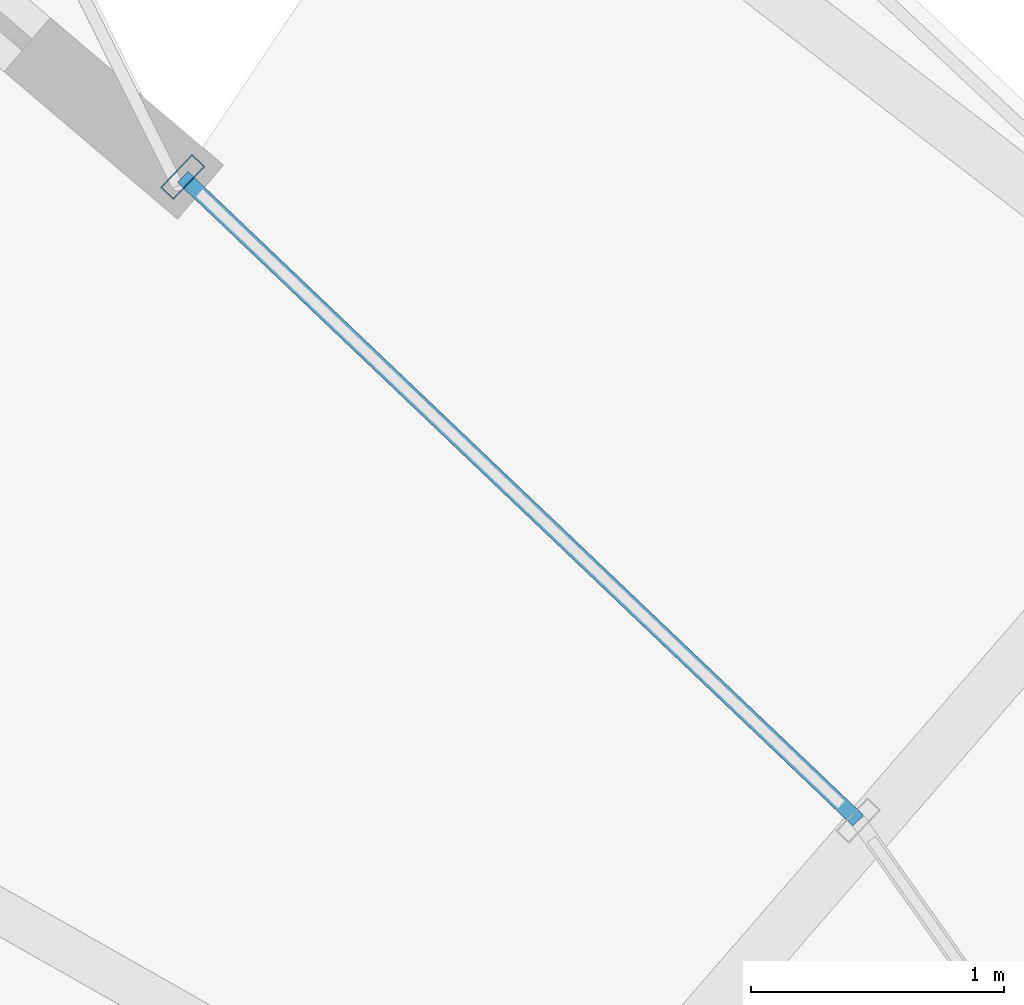
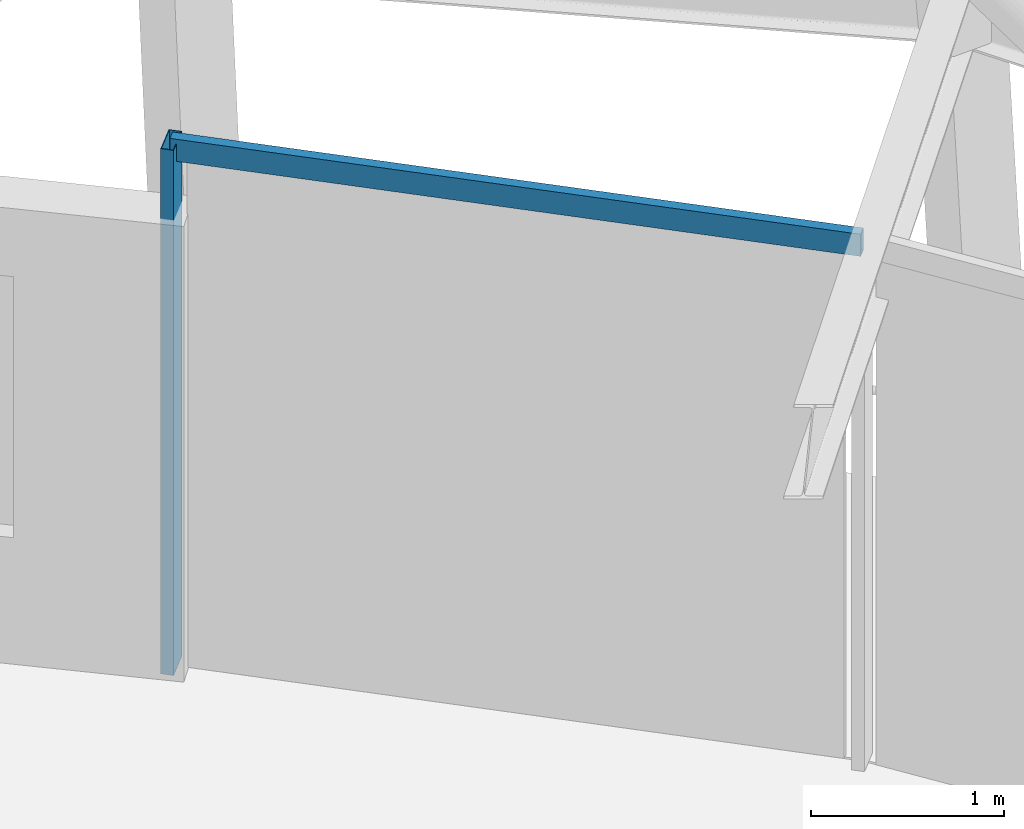
# One storey, part 8 of 17: 2 members, 1 element without a shape of its own.
"""IFC4 building model written with IfcOpenShell, lengths in metres."""

import ifcopenshell
import ifcopenshell.guid

model = None  # the IFC model being written
_history = None  # IfcOwnerHistory: only IFC2X3 demands one
_inside = {}  # id of a spatial element -> (the spatial element, [elements in it])
_under = {}  # id of a project, library or spatial element -> (it, [spatial elements below it])
_declared = {}  # id of a project -> (the project, [libraries it declares])
_typed = {}  # id of a type object -> (the type object, [elements of that type])
_made_of = {}  # id of a material, layer set ... -> (it, [elements and type objects made of it])


def new_model(schema):
    """Start an empty IFC model of exactly this schema.

    Asked for "IFC4X3", IfcOpenShell would pick the latest addendum, in which some entities
    have other attributes; the version numbers below select the first issue.
    IFC2X3 requires an IfcOwnerHistory on every rooted entity: one is made here for all.
    """
    global model, _history
    if schema == "IFC4X3":
        model = ifcopenshell.file(schema_version=(4, 3, 0, 0))
    else:
        model = ifcopenshell.file(schema=schema)
    _inside.clear()
    _under.clear()
    _declared.clear()
    _typed.clear()
    _made_of.clear()
    _history = None
    if model.schema == "IFC2X3":
        org = make("IfcOrganization", Name="unknown")
        user = make(
            "IfcPersonAndOrganization",
            ThePerson=make("IfcPerson", FamilyName="unknown"),
            TheOrganization=org,
        )
        app = make(
            "IfcApplication",
            ApplicationDeveloper=org,
            Version="unknown",
            ApplicationFullName="unknown",
            ApplicationIdentifier="unknown",
        )
        _history = make(
            "IfcOwnerHistory",
            OwningUser=user,
            OwningApplication=app,
            ChangeAction="ADDED",
            CreationDate=0,
        )
    return model


def make(cls, **values):
    """One entity of the class cls with the attributes given. An attribute that is None is left unset."""
    return model.create_entity(
        cls, **{name: value for name, value in values.items() if value is not None}
    )


def rooted(cls, **values):
    """An entity with a GlobalId (a new one), such as an element, a storey or a relation."""
    return make(cls, GlobalId=ifcopenshell.guid.new(), OwnerHistory=_history, **values)


def si_unit(unit_type, name, prefix=None):
    """IfcSIUnit, for example si_unit("LENGTHUNIT", "METRE", prefix="MILLI")."""
    return make("IfcSIUnit", UnitType=unit_type, Prefix=prefix, Name=name)


def assignment(units):
    """IfcUnitAssignment: the units of a project."""
    return None if units is None else make("IfcUnitAssignment", Units=units)


def point(xyz):
    """IfcCartesianPoint."""
    return None if xyz is None else make("IfcCartesianPoint", Coordinates=xyz)


def direction(xyz):
    """IfcDirection."""
    return None if xyz is None else make("IfcDirection", DirectionRatios=xyz)


def frame(location, z_axis=None, x_axis=None):
    """IfcAxis2Placement3D, a coordinate frame: its origin and axes. An axis left out is left unset."""
    return make(
        "IfcAxis2Placement3D",
        Location=point(location),
        Axis=direction(z_axis),
        RefDirection=direction(x_axis),
    )


def frame_2d(location, x_axis=None):
    """IfcAxis2Placement2D, a coordinate frame in the plane: its origin and x axis."""
    return make(
        "IfcAxis2Placement2D", Location=point(location), RefDirection=direction(x_axis)
    )


def origin():
    """The frame at (0, 0, 0) with its axes left unset."""
    return frame((0.0, 0.0, 0.0))


def origin_2d():
    """The frame at (0, 0) in the plane with its x axis left unset."""
    return frame_2d((0.0, 0.0))


def place(relative_to, where):
    """IfcLocalPlacement: puts the frame where relative to a parent placement (None: the world)."""
    return make(
        "IfcLocalPlacement", PlacementRelTo=relative_to, RelativePlacement=where
    )


def context(
    kind, dimensions, precision=None, world=None, true_north=None, identifier=None
):
    """IfcGeometricRepresentationContext, for example the 3D "Model" context."""
    return make(
        "IfcGeometricRepresentationContext",
        ContextIdentifier=identifier,
        ContextType=kind,
        CoordinateSpaceDimension=dimensions,
        Precision=precision,
        WorldCoordinateSystem=world,
        TrueNorth=true_north,
    )


def subcontext(parent, identifier, kind, view, scale=None):
    """IfcGeometricRepresentationSubContext, for example "Body" below "Model"."""
    return make(
        "IfcGeometricRepresentationSubContext",
        ContextIdentifier=identifier,
        ContextType=kind,
        ParentContext=parent,
        TargetScale=scale,
        TargetView=view,
    )


def project(units=None, contexts=None):
    """IfcProject with its units and contexts."""
    return rooted(
        "IfcProject",
        Name="project",
        RepresentationContexts=contexts,
        UnitsInContext=assignment(units),
    )


def spatial(cls, under=None, at=None, **own):
    """A site, building, storey or space (cls), placed at a placement, below another one or the project."""
    s = rooted(cls, ObjectPlacement=at, **own)
    if under is not None:
        _under.setdefault(under.id(), (under, []))[1].append(s)
    return s


def profile(cls, at=None, kind="AREA", **sizes):
    """A parametric profile (cls). Its sizes go by their IFC names, for example OverallWidth=200.0."""
    return make(cls, ProfileType=kind, Position=at, **sizes)


def hollow_rectangle(**sizes):
    """IfcRectangleHollowProfileDef."""
    return profile("IfcRectangleHollowProfileDef", **sizes)


def extrude(swept, where, along, depth):
    """IfcExtrudedAreaSolid: the profile swept, set in the frame where, extruded along a direction by depth."""
    return make(
        "IfcExtrudedAreaSolid",
        SweptArea=swept,
        Position=where,
        ExtrudedDirection=direction(along),
        Depth=depth,
    )


def shape(context_of_items, identifier, shape_type, items):
    """IfcShapeRepresentation: the items that make up one representation, for example the "Body"."""
    return make(
        "IfcShapeRepresentation",
        ContextOfItems=context_of_items,
        RepresentationIdentifier=identifier,
        RepresentationType=shape_type,
        Items=items,
    )


def material(Name=None, Category=None):
    """IfcMaterial."""
    return make("IfcMaterial", Name=Name, Category=Category)


def layer(
    of_material, thickness, ventilated=None, Name=None, Category=None, Priority=None
):
    """IfcMaterialLayer: one layer of a wall or slab, of a material (None: an air gap)."""
    return make(
        "IfcMaterialLayer",
        Material=of_material,
        LayerThickness=thickness,
        IsVentilated=ventilated,
        Name=Name,
        Category=Category,
        Priority=Priority,
    )


def layer_set(layers, Name=None):
    """IfcMaterialLayerSet."""
    return make("IfcMaterialLayerSet", MaterialLayers=layers, LayerSetName=Name)


def material_profile(
    of_material, cross_section, Name=None, Category=None, Priority=None
):
    """IfcMaterialProfile: a cross section and its material."""
    return make(
        "IfcMaterialProfile",
        Name=Name,
        Material=of_material,
        Profile=cross_section,
        Priority=Priority,
        Category=Category,
    )


def profile_set(profiles, Name=None, composite=None):
    """IfcMaterialProfileSet."""
    return make(
        "IfcMaterialProfileSet",
        Name=Name,
        MaterialProfiles=profiles,
        CompositeProfile=composite,
    )


def made_of(thing, what):
    """Note that an element or type object is made of a material, layer set ...; save() writes the relation."""
    if what is not None:
        _made_of.setdefault(what.id(), (what, []))[1].append(thing)
    return thing


def type_object(cls, material=None, **own):
    """A type object (cls), such as IfcWallType, which elements share."""
    return made_of(rooted(cls, **own), material)


def element(
    cls,
    number,
    at=None,
    inside=None,
    cuts=None,
    type_object=None,
    material=None,
    context=None,
    identifier="Body",
    shape_type=None,
    held_by="IfcProductDefinitionShape",
    body=None,
    shapes=None,
    **own,
):
    """One element of the class cls, such as IfcWall. Its Tag is "e" and its number.

    at: its placement. inside: the storey or other place that contains it. cuts: it is an
    opening in that element (IfcRelVoidsElement). A single representation is given by context,
    identifier, shape_type and body (its items); several are given by shapes. held_by: the class
    of the entity that holds the representations. save() writes the other relations.
    """
    e = rooted(cls, Tag="e%d" % number, ObjectPlacement=at, **own)
    if body is not None:
        shapes = [shape(context, identifier, shape_type, body)]
    if shapes is not None:
        e.Representation = make(held_by, Representations=shapes)
    if inside is not None:
        _inside.setdefault(inside.id(), (inside, []))[1].append(e)
    if cuts is not None:
        rooted(
            "IfcRelVoidsElement", RelatingBuildingElement=cuts, RelatedOpeningElement=e
        )
    if type_object is not None:
        _typed.setdefault(type_object.id(), (type_object, []))[1].append(e)
    return made_of(e, material)


def aggregate(whole, parts):
    """IfcRelAggregates: a whole, such as a stair, and the parts it consists of."""
    return rooted("IfcRelAggregates", RelatingObject=whole, RelatedObjects=parts)


def save(model, path):
    """Write the relations noted so far, then the file.

    IfcRelAggregates (storeys below a building ...), IfcRelContainedInSpatialStructure (elements
    in a storey), IfcRelDefinesByType, IfcRelAssociatesMaterial and IfcRelDeclares: one each for
    every whole, place, type object, material and project.
    """
    for whole, parts in _under.values():
        aggregate(whole, parts)
    for where, things in _inside.values():
        rooted(
            "IfcRelContainedInSpatialStructure",
            RelatedElements=things,
            RelatingStructure=where,
        )
    for kind, things in _typed.values():
        rooted("IfcRelDefinesByType", RelatedObjects=things, RelatingType=kind)
    for what, things in _made_of.values():
        rooted("IfcRelAssociatesMaterial", RelatedObjects=things, RelatingMaterial=what)
    for by, libraries in _declared.values():
        rooted("IfcRelDeclares", RelatingContext=by, RelatedDefinitions=libraries)
    model.write(path)


model = new_model("IFC4")

# Units and contexts
model_context = context("Model", 3, precision=1e-05, world=origin(), true_north=direction((0.0, 1.0)))
body_context = subcontext(model_context, "Body", "Model", "MODEL_VIEW")
ifc_project = project(units=[si_unit("LENGTHUNIT", "METRE"), si_unit("AREAUNIT", "SQUARE_METRE"), si_unit("VOLUMEUNIT", "CUBIC_METRE"), si_unit("PLANEANGLEUNIT", "RADIAN"), si_unit("MASSUNIT", "GRAM", prefix="KILO")], contexts=[model_context])

# Site, building, storey
site_placement = place(None, origin())
site = spatial("IfcSite", under=ifc_project, at=site_placement, CompositionType="ELEMENT")
building_placement = place(site_placement, origin())
building = spatial("IfcBuilding", under=site, at=building_placement, Name="Veldorina Hangang Commons", CompositionType="ELEMENT")
storey_placement = place(building_placement, frame((0.0, 0.0, 286.800048828125)))
storey = spatial("IfcBuildingStorey", under=building, at=storey_placement, Name="L75", CompositionType="ELEMENT", Elevation=286.800048828125)

# Curtain wall, members
ifc_material_1 = material(Name="Glass Low-E Selective", Category="glass")
ifc_layer = layer(ifc_material_1, 0.179931640625)
ifc_layer_set = layer_set([ifc_layer], Name="Glass Low-E Selective")
curtain_wall_type = type_object("IfcCurtainWallType", Name="CW-SYS-Z3", PredefinedType="NOTDEFINED", material=ifc_layer_set)
curtain_wall_placement = place(storey_placement, origin())
curtain_wall = element("IfcCurtainWall", 1, at=curtain_wall_placement, inside=storey, type_object=curtain_wall_type, Name="L75 unitised curtain wall CW-L75-R1", PredefinedType="NOTDEFINED")
ifc_material_2 = material(Name="Aluminium Anodized AA6063-T6", Category="aluminium")
ifc_material_profile_1 = material_profile(ifc_material_2, hollow_rectangle(XDim=0.070068359375, YDim=0.179931640625, WallThickness=0.00390625, at=origin_2d()), Name="ALU-RHS-180x70x4")
ifc_profile_set_1 = profile_set([ifc_material_profile_1], Name="Aluminium Anodized AA6063-T6")
member_type_1 = type_object("IfcMemberType", Name="CW-MUL-180", PredefinedType="MULLION", material=ifc_profile_set_1)
member_1_placement = place(storey_placement, frame((41.770263671875, 40.9755859375, 0.0), z_axis=(0.0, 0.0, 1.0), x_axis=(0.724003333978, -0.689796471714, 0.0)))
member_1 = element("IfcMember", 2, at=member_1_placement, type_object=member_type_1, Name="CW-L75-R1 vertical mullion 4", PredefinedType="MULLION", context=body_context, shape_type="SweptSolid", body=[
    extrude(hollow_rectangle(XDim=0.070068359375, YDim=0.179931640625, WallThickness=0.00390625, at=origin_2d()), origin(), (0.0, 0.0, 1.0), 3.320068359375),
])
ifc_material_profile_2 = material_profile(ifc_material_2, hollow_rectangle(XDim=0.06005859375, YDim=0.139892578125, WallThickness=0.00341796875, at=origin_2d()), Name="ALU-RHS-140x60x3.5")
ifc_profile_set_2 = profile_set([ifc_material_profile_2], Name="Aluminium Anodized AA6063-T6")
member_type_2 = type_object("IfcMemberType", Name="CW-TRN-140", PredefinedType="USERDEFINED", material=ifc_profile_set_2)
member_2_placement = place(storey_placement, frame((44.43505859375, 38.4365234375, 3.280029296875), z_axis=(-0.723980173875, 0.689820779505, 0.0), x_axis=(-0.689820779505, -0.723980173875, 0.0)))
member_2 = element("IfcMember", 3, at=member_2_placement, type_object=member_type_2, Name="CW-L75-R1 facet 5 transom 1", ObjectType="TRANSOM", PredefinedType="USERDEFINED", context=body_context, shape_type="SweptSolid", body=[
    extrude(hollow_rectangle(XDim=0.06005859375, YDim=0.139892578125, WallThickness=0.00341796875, at=origin_2d()), origin(), (0.0, 0.0, 1.0), 3.6806640625),
])
aggregate(curtain_wall, [member_1, member_2])

save(model, "model.ifc")
